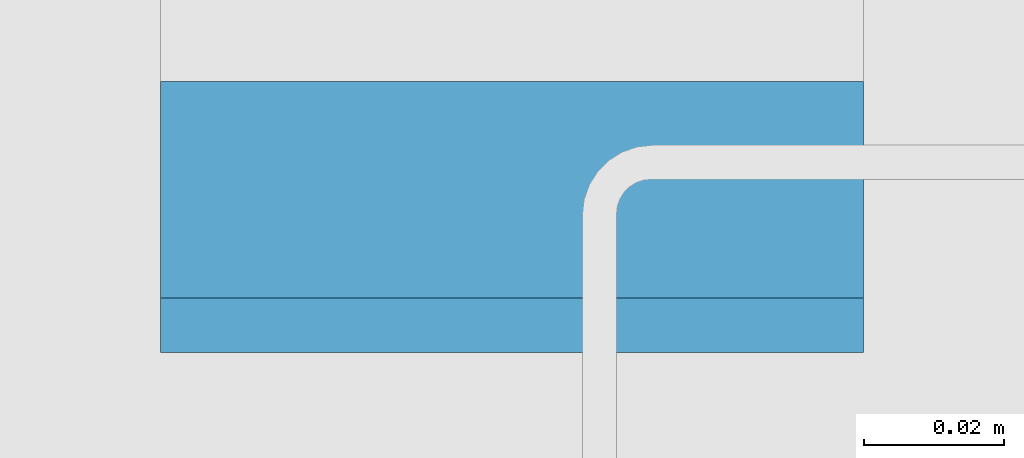
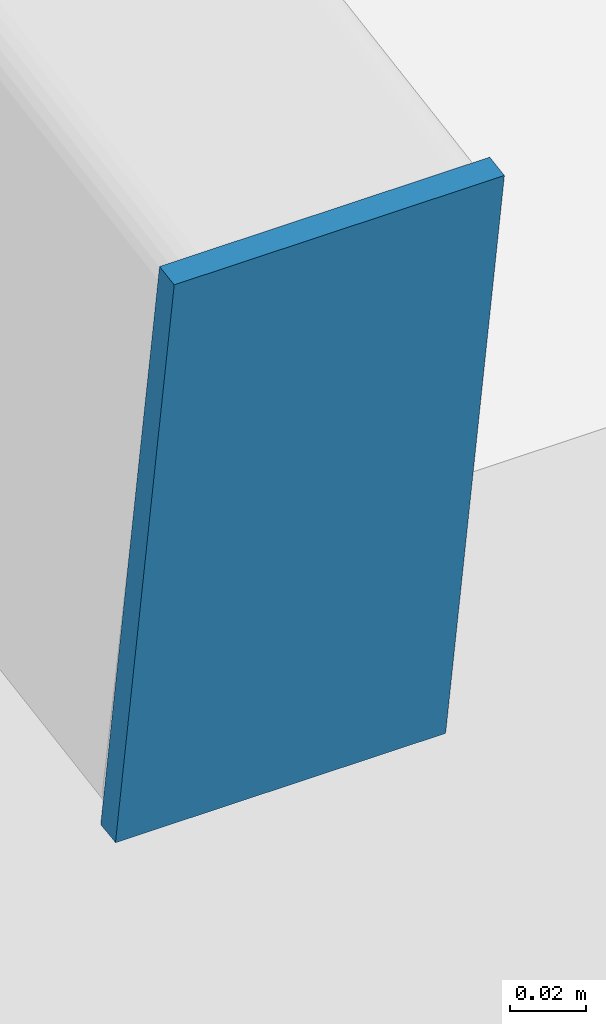
# One storey, part 27 of 33: 1 discrete accessory.
"""IFC4 building model written with IfcOpenShell, lengths in metres."""

from ifc_helpers import new_model, si_unit, direction, frame, origin, origin_2d, place, context, subcontext, project, spatial, rectangle, extrude, material, material_profile, profile_set, type_object, element, save


model = new_model("IFC4")

# Units and contexts
model_context = context("Model", 3, precision=1e-05, world=origin(), true_north=direction((0.0, 1.0)))
body_context = subcontext(model_context, "Body", "Model", "MODEL_VIEW")
ifc_project = project(units=[si_unit("LENGTHUNIT", "METRE"), si_unit("AREAUNIT", "SQUARE_METRE"), si_unit("VOLUMEUNIT", "CUBIC_METRE"), si_unit("PLANEANGLEUNIT", "RADIAN"), si_unit("MASSUNIT", "GRAM", prefix="KILO")], contexts=[model_context])

# Site, building, storey
site_placement = place(None, origin())
site = spatial("IfcSite", under=ifc_project, at=site_placement, CompositionType="ELEMENT")
building_placement = place(site_placement, origin())
building = spatial("IfcBuilding", under=site, at=building_placement, Name="Ardhachandra Cancer Care Centre", CompositionType="ELEMENT")
storey_placement = place(building_placement, frame((0.0, 0.0, 27.0)))
storey = spatial("IfcBuildingStorey", under=building, at=storey_placement, Name="Roof", CompositionType="ELEMENT", Elevation=27.0)

# Discrete accessory
ifc_material = material(Name="Galvanised flat steel (Steel E250 (IS 2062))", Category="steel")
ifc_material_profile = material_profile(ifc_material, rectangle(XDim=0.10009765625, YDim=0.199951171875, at=origin_2d()), Name="Rafter end plate 200 x 100 x 8")
ifc_profile_set = profile_set([ifc_material_profile], Name="Galvanised flat steel (Steel E250 (IS 2062))")
discrete_accessory_type = type_object("IfcDiscreteAccessoryType", Name="Rafter end plate 200 x 100 x 8", PredefinedType="BRACKET", material=ifc_profile_set)
discrete_accessory_placement = place(storey_placement, frame((142.39990234375, 88.583740234375, 0.5986328125), z_axis=(0.0, -0.988012033751, -0.154376880274), x_axis=(1.0, 0.0, 0.0)))
element("IfcDiscreteAccessory", 1, at=discrete_accessory_placement, inside=storey, type_object=discrete_accessory_type, Name="Rafter end plate ST2a.12.1", PredefinedType="BRACKET", context=body_context, shape_type="SweptSolid", body=[
    extrude(rectangle(XDim=0.10009765625, YDim=0.199951171875, at=origin_2d()), origin(), (0.0, 0.0, 1.0), 0.0078125),
])

save(model, "model.ifc")
